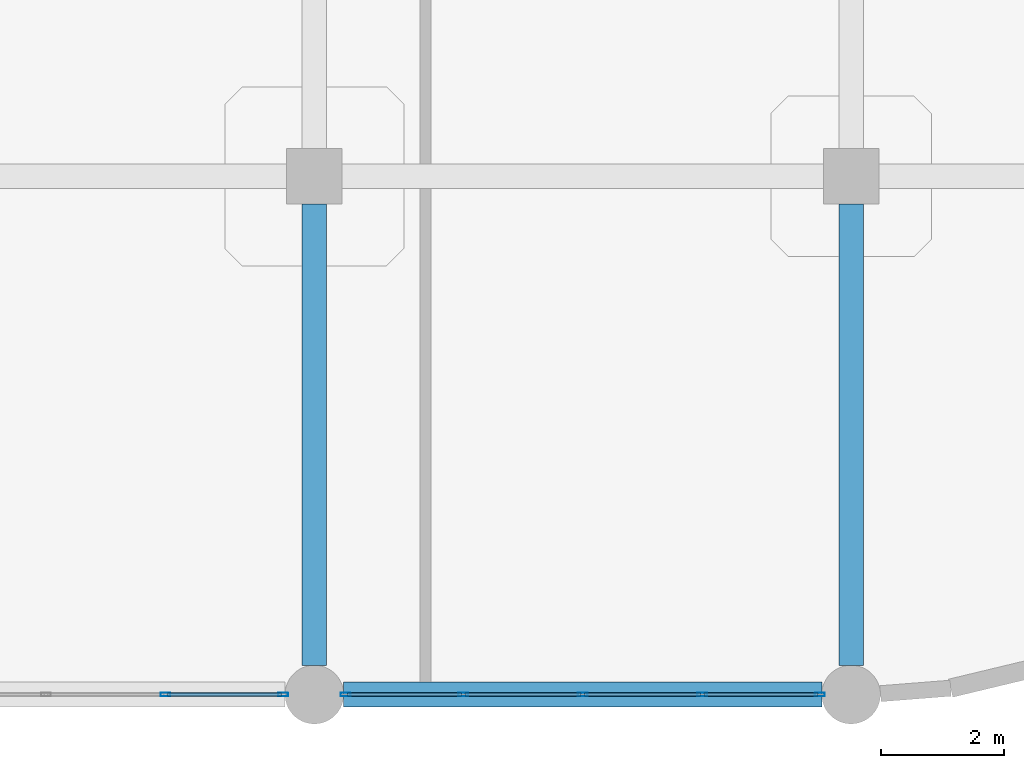
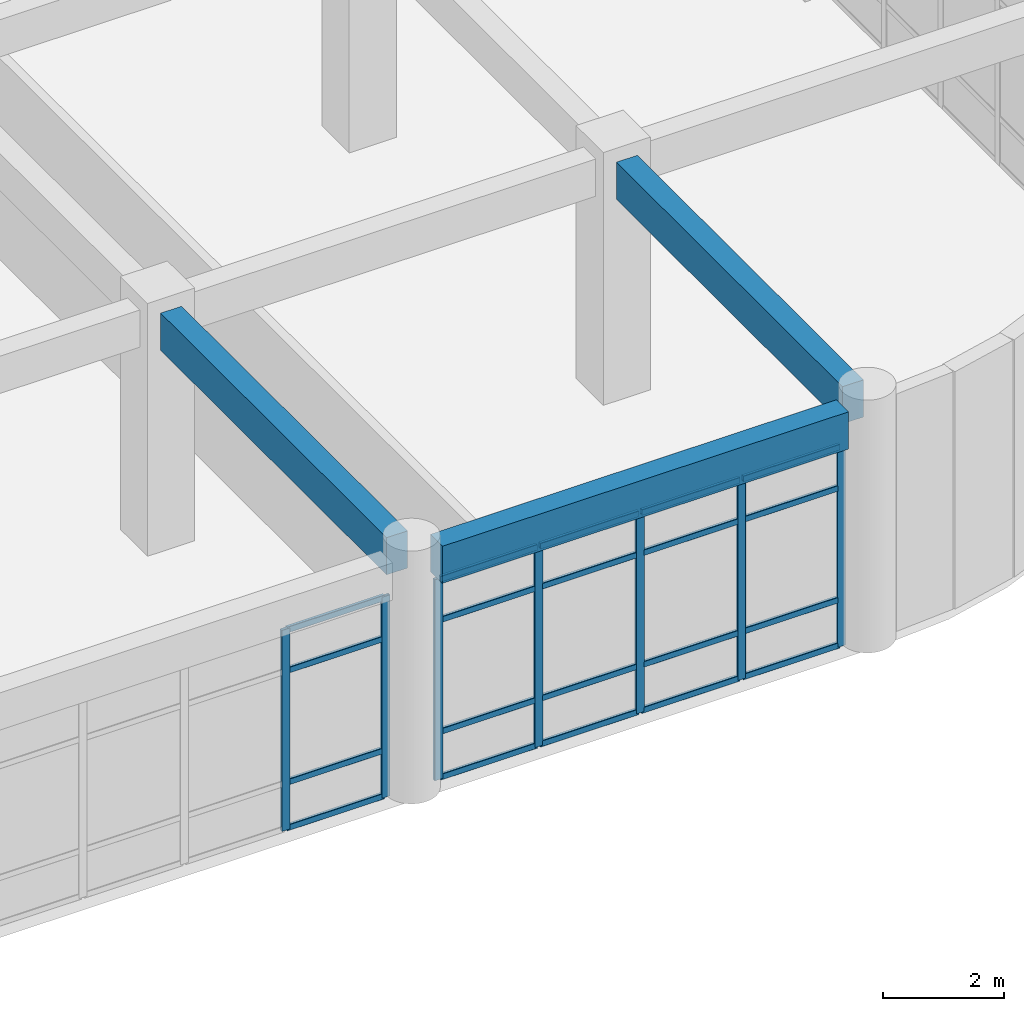
# One storey, part 15 of 120: 27 members, 3 beams, 2 elements without a shape of their own.
"""IFC4 building model written with IfcOpenShell, lengths in metres."""

from ifc_helpers import new_model, si_unit, derived_unit, direction, frame, origin, origin_2d, place, context, subcontext, project, spatial, rectangle, hollow_rectangle, extrude, material, layer, layer_set, material_profile, profile_set, type_object, element, aggregate, save


model = new_model("IFC4")

# Units and contexts
model_context = context("Model", 3, precision=1e-05, world=origin(), true_north=direction((0.0, 1.0)))
body_context = subcontext(model_context, "Body", "Model", "MODEL_VIEW")
ifc_project = project(units=[si_unit("LENGTHUNIT", "METRE"), si_unit("AREAUNIT", "SQUARE_METRE"), si_unit("VOLUMEUNIT", "CUBIC_METRE"), si_unit("PLANEANGLEUNIT", "RADIAN"), si_unit("MASSUNIT", "GRAM", prefix="KILO"), derived_unit("THERMALTRANSMITTANCEUNIT", [(si_unit("MASSUNIT", "GRAM", prefix="KILO"), 1), (si_unit("TIMEUNIT", "SECOND"), -3), (si_unit("THERMODYNAMICTEMPERATUREUNIT", "KELVIN"), -1)])], contexts=[model_context])

# Site, building, storey
site_placement = place(None, origin())
site = spatial("IfcSite", under=ifc_project, at=site_placement, CompositionType="ELEMENT")
building_placement = place(site_placement, origin())
building = spatial("IfcBuilding", under=site, at=building_placement, Name="Qinzheling Arcade Emporium", CompositionType="ELEMENT")
storey_placement = place(building_placement, frame((0.0, 0.0, 11.39990234375)))
storey = spatial("IfcBuildingStorey", under=building, at=storey_placement, Name="L03", CompositionType="ELEMENT", Elevation=11.39990234375)

# Curtain wall, members
ifc_material_1 = material(Name="Anodised aluminium and solar-control double glazing", Category="aluminium")
ifc_layer = layer(ifc_material_1, 0.159912109375, Name="Anodised aluminium and solar-control double glazing", Category="aluminium")
ifc_layer_set = layer_set([ifc_layer], Name="Anodised aluminium and solar-control double glazing")
curtain_wall_type = type_object("IfcCurtainWallType", Name="Arcade Portal Glazed Curtain Wall", PredefinedType="NOTDEFINED", material=ifc_layer_set)
curtain_wall_1_placement = place(storey_placement, origin())
curtain_wall_1 = element("IfcCurtainWall", 1, at=curtain_wall_1_placement, inside=storey, type_object=curtain_wall_type, Name="Curtain Wall CW-L03-149", PredefinedType="NOTDEFINED")
ifc_material_2 = material(Name="Anodised aluminium 6063-T6", Category="aluminium")
ifc_material_profile_1 = material_profile(ifc_material_2, hollow_rectangle(XDim=0.06005859375, YDim=0.159912109375, WallThickness=0.00390625, InnerFilletRadius=0.00390625, OuterFilletRadius=0.008056640625, at=origin_2d()), Name="RHS 160x60x4", Category="aluminium")
ifc_profile_set_1 = profile_set([ifc_material_profile_1], Name="Anodised aluminium 6063-T6")
member_type_1 = type_object("IfcMemberType", Name="Curtain Wall Mullion RHS160x60", PredefinedType="MULLION", material=ifc_profile_set_1)
member_1_placement = place(storey_placement, frame((60.39306640625, 0.0, 0.0), z_axis=(0.0, 0.0, 1.0), x_axis=(0.0, -1.0, 0.0)))
member_1 = element("IfcMember", 2, at=member_1_placement, type_object=member_type_1, Name="CW05 mullion 1", PredefinedType="MULLION", context=body_context, shape_type="SweptSolid", body=[
    extrude(hollow_rectangle(XDim=0.06005859375, YDim=0.159912109375, WallThickness=0.00390625, InnerFilletRadius=0.00390625, OuterFilletRadius=0.008056640625, at=origin_2d()), origin(), (0.0, 0.0, 1.0), 4.05517578125),
])
member_2_placement = place(storey_placement, frame((58.486572265625, 0.0, 0.0), z_axis=(0.0, 0.0, 1.0), x_axis=(0.0, -1.0, 0.0)))
member_2 = element("IfcMember", 3, at=member_2_placement, type_object=member_type_1, Name="CW05 mullion 2", PredefinedType="MULLION", context=body_context, shape_type="SweptSolid", body=[
    extrude(hollow_rectangle(XDim=0.06005859375, YDim=0.159912109375, WallThickness=0.00390625, InnerFilletRadius=0.00390625, OuterFilletRadius=0.008056640625, at=origin_2d()), origin(), (0.0, 0.0, 1.0), 4.05517578125),
])
member_3_placement = place(storey_placement, frame((56.550048828125, 0.0, 0.0), z_axis=(0.0, 0.0, 1.0), x_axis=(0.0, -1.0, 0.0)))
member_3 = element("IfcMember", 4, at=member_3_placement, type_object=member_type_1, Name="CW05 mullion 3", PredefinedType="MULLION", context=body_context, shape_type="SweptSolid", body=[
    extrude(hollow_rectangle(XDim=0.06005859375, YDim=0.159912109375, WallThickness=0.00390625, InnerFilletRadius=0.00390625, OuterFilletRadius=0.008056640625, at=origin_2d()), origin(), (0.0, 0.0, 1.0), 4.05517578125),
])
member_4_placement = place(storey_placement, frame((54.613525390625, 0.0, 0.0), z_axis=(0.0, 0.0, 1.0), x_axis=(0.0, -1.0, 0.0)))
member_4 = element("IfcMember", 5, at=member_4_placement, type_object=member_type_1, Name="CW05 mullion 4", PredefinedType="MULLION", context=body_context, shape_type="SweptSolid", body=[
    extrude(hollow_rectangle(XDim=0.06005859375, YDim=0.159912109375, WallThickness=0.00390625, InnerFilletRadius=0.00390625, OuterFilletRadius=0.008056640625, at=origin_2d()), origin(), (0.0, 0.0, 1.0), 4.05517578125),
])
member_5_placement = place(storey_placement, frame((52.70703125, 0.0, 0.0), z_axis=(0.0, 0.0, 1.0), x_axis=(0.0, -1.0, 0.0)))
member_5 = element("IfcMember", 6, at=member_5_placement, type_object=member_type_1, Name="CW05 mullion 5", PredefinedType="MULLION", context=body_context, shape_type="SweptSolid", body=[
    extrude(hollow_rectangle(XDim=0.06005859375, YDim=0.159912109375, WallThickness=0.00390625, InnerFilletRadius=0.00390625, OuterFilletRadius=0.008056640625, at=origin_2d()), origin(), (0.0, 0.0, 1.0), 4.05517578125),
])

curtain_wall_2_placement = place(storey_placement, origin())
curtain_wall_2 = element("IfcCurtainWall", 7, at=curtain_wall_2_placement, inside=storey, type_object=curtain_wall_type, Name="Curtain Wall CW-L03-150", PredefinedType="NOTDEFINED")
member_6_placement = place(storey_placement, frame((51.693115234375, 0.0, 0.0), z_axis=(0.0, 0.0, 1.0), x_axis=(0.0, -1.0, 0.0)))
member_6 = element("IfcMember", 8, at=member_6_placement, type_object=member_type_1, Name="CW05 mullion 1", PredefinedType="MULLION", context=body_context, shape_type="SweptSolid", body=[
    extrude(hollow_rectangle(XDim=0.06005859375, YDim=0.159912109375, WallThickness=0.00390625, InnerFilletRadius=0.00390625, OuterFilletRadius=0.008056640625, at=origin_2d()), origin(), (0.0, 0.0, 1.0), 4.05517578125),
])
member_7_placement = place(storey_placement, frame((49.78662109375, 0.0, 0.0), z_axis=(0.0, 0.0, 1.0), x_axis=(0.0, -1.0, 0.0)))
member_7 = element("IfcMember", 9, at=member_7_placement, type_object=member_type_1, Name="CW05 mullion 2", PredefinedType="MULLION", context=body_context, shape_type="SweptSolid", body=[
    extrude(hollow_rectangle(XDim=0.06005859375, YDim=0.159912109375, WallThickness=0.00390625, InnerFilletRadius=0.00390625, OuterFilletRadius=0.008056640625, at=origin_2d()), origin(), (0.0, 0.0, 1.0), 4.05517578125),
])

# Member
ifc_material_profile_2 = material_profile(ifc_material_2, hollow_rectangle(XDim=0.06005859375, YDim=0.1201171875, WallThickness=0.00390625, InnerFilletRadius=0.00390625, OuterFilletRadius=0.008056640625, at=origin_2d()), Name="RHS 120x60x4", Category="aluminium")
ifc_profile_set_2 = profile_set([ifc_material_profile_2], Name="Anodised aluminium 6063-T6")
member_type_2 = type_object("IfcMemberType", Name="Curtain Wall Transom RHS120x60", PredefinedType="USERDEFINED", material=ifc_profile_set_2)
member_8_placement = place(storey_placement, frame((60.363037109375, 0.0, 0.030029296875), z_axis=(-1.0, 0.0, 0.0), x_axis=(0.0, -1.0, 0.0)))
member_8 = element("IfcMember", 10, at=member_8_placement, type_object=member_type_2, Name="CW05 transom 1.1", ObjectType="TRANSOM", PredefinedType="USERDEFINED", context=body_context, shape_type="SweptSolid", body=[
    extrude(hollow_rectangle(XDim=0.06005859375, YDim=0.1201171875, WallThickness=0.00390625, InnerFilletRadius=0.00390625, OuterFilletRadius=0.008056640625, at=origin_2d()), origin(), (0.0, 0.0, 1.0), 1.846435546875),
])

member_9_placement = place(storey_placement, frame((60.363037109375, 0.0, 0.9501953125), z_axis=(-1.0, 0.0, 0.0), x_axis=(0.0, -1.0, 0.0)))
member_9 = element("IfcMember", 11, at=member_9_placement, type_object=member_type_2, Name="CW05 transom 1.2", ObjectType="TRANSOM", PredefinedType="USERDEFINED", context=body_context, shape_type="SweptSolid", body=[
    extrude(hollow_rectangle(XDim=0.06005859375, YDim=0.1201171875, WallThickness=0.00390625, InnerFilletRadius=0.00390625, OuterFilletRadius=0.008056640625, at=origin_2d()), origin(), (0.0, 0.0, 1.0), 1.846435546875),
])

member_10_placement = place(storey_placement, frame((60.363037109375, 0.0, 3.205078125), z_axis=(-1.0, 0.0, 0.0), x_axis=(0.0, -1.0, 0.0)))
member_10 = element("IfcMember", 12, at=member_10_placement, type_object=member_type_2, Name="CW05 transom 1.3", ObjectType="TRANSOM", PredefinedType="USERDEFINED", context=body_context, shape_type="SweptSolid", body=[
    extrude(hollow_rectangle(XDim=0.06005859375, YDim=0.1201171875, WallThickness=0.00390625, InnerFilletRadius=0.00390625, OuterFilletRadius=0.008056640625, at=origin_2d()), origin(), (0.0, 0.0, 1.0), 1.846435546875),
])

member_11_placement = place(storey_placement, frame((60.363037109375, 0.0, 4.025146484375), z_axis=(-1.0, 0.0, 0.0), x_axis=(0.0, -1.0, 0.0)))
member_11 = element("IfcMember", 13, at=member_11_placement, type_object=member_type_2, Name="CW05 transom 1.4", ObjectType="TRANSOM", PredefinedType="USERDEFINED", context=body_context, shape_type="SweptSolid", body=[
    extrude(hollow_rectangle(XDim=0.06005859375, YDim=0.1201171875, WallThickness=0.00390625, InnerFilletRadius=0.00390625, OuterFilletRadius=0.008056640625, at=origin_2d()), origin(), (0.0, 0.0, 1.0), 1.846435546875),
])

member_12_placement = place(storey_placement, frame((58.45654296875, 0.0, 0.030029296875), z_axis=(-1.0, 0.0, 0.0), x_axis=(0.0, -1.0, 0.0)))
member_12 = element("IfcMember", 14, at=member_12_placement, type_object=member_type_2, Name="CW05 transom 2.1", ObjectType="TRANSOM", PredefinedType="USERDEFINED", context=body_context, shape_type="SweptSolid", body=[
    extrude(hollow_rectangle(XDim=0.06005859375, YDim=0.1201171875, WallThickness=0.00390625, InnerFilletRadius=0.00390625, OuterFilletRadius=0.008056640625, at=origin_2d()), origin(), (0.0, 0.0, 1.0), 1.87646484375),
])

member_13_placement = place(storey_placement, frame((58.45654296875, 0.0, 0.9501953125), z_axis=(-1.0, 0.0, 0.0), x_axis=(0.0, -1.0, 0.0)))
member_13 = element("IfcMember", 15, at=member_13_placement, type_object=member_type_2, Name="CW05 transom 2.2", ObjectType="TRANSOM", PredefinedType="USERDEFINED", context=body_context, shape_type="SweptSolid", body=[
    extrude(hollow_rectangle(XDim=0.06005859375, YDim=0.1201171875, WallThickness=0.00390625, InnerFilletRadius=0.00390625, OuterFilletRadius=0.008056640625, at=origin_2d()), origin(), (0.0, 0.0, 1.0), 1.87646484375),
])

member_14_placement = place(storey_placement, frame((58.45654296875, 0.0, 3.205078125), z_axis=(-1.0, 0.0, 0.0), x_axis=(0.0, -1.0, 0.0)))
member_14 = element("IfcMember", 16, at=member_14_placement, type_object=member_type_2, Name="CW05 transom 2.3", ObjectType="TRANSOM", PredefinedType="USERDEFINED", context=body_context, shape_type="SweptSolid", body=[
    extrude(hollow_rectangle(XDim=0.06005859375, YDim=0.1201171875, WallThickness=0.00390625, InnerFilletRadius=0.00390625, OuterFilletRadius=0.008056640625, at=origin_2d()), origin(), (0.0, 0.0, 1.0), 1.87646484375),
])

member_15_placement = place(storey_placement, frame((58.45654296875, 0.0, 4.025146484375), z_axis=(-1.0, 0.0, 0.0), x_axis=(0.0, -1.0, 0.0)))
member_15 = element("IfcMember", 17, at=member_15_placement, type_object=member_type_2, Name="CW05 transom 2.4", ObjectType="TRANSOM", PredefinedType="USERDEFINED", context=body_context, shape_type="SweptSolid", body=[
    extrude(hollow_rectangle(XDim=0.06005859375, YDim=0.1201171875, WallThickness=0.00390625, InnerFilletRadius=0.00390625, OuterFilletRadius=0.008056640625, at=origin_2d()), origin(), (0.0, 0.0, 1.0), 1.87646484375),
])

member_16_placement = place(storey_placement, frame((56.52001953125, 0.0, 0.030029296875), z_axis=(-1.0, 0.0, 0.0), x_axis=(0.0, -1.0, 0.0)))
member_16 = element("IfcMember", 18, at=member_16_placement, type_object=member_type_2, Name="CW05 transom 3.1", ObjectType="TRANSOM", PredefinedType="USERDEFINED", context=body_context, shape_type="SweptSolid", body=[
    extrude(hollow_rectangle(XDim=0.06005859375, YDim=0.1201171875, WallThickness=0.00390625, InnerFilletRadius=0.00390625, OuterFilletRadius=0.008056640625, at=origin_2d()), origin(), (0.0, 0.0, 1.0), 1.87646484375),
])

member_17_placement = place(storey_placement, frame((56.52001953125, 0.0, 0.9501953125), z_axis=(-1.0, 0.0, 0.0), x_axis=(0.0, -1.0, 0.0)))
member_17 = element("IfcMember", 19, at=member_17_placement, type_object=member_type_2, Name="CW05 transom 3.2", ObjectType="TRANSOM", PredefinedType="USERDEFINED", context=body_context, shape_type="SweptSolid", body=[
    extrude(hollow_rectangle(XDim=0.06005859375, YDim=0.1201171875, WallThickness=0.00390625, InnerFilletRadius=0.00390625, OuterFilletRadius=0.008056640625, at=origin_2d()), origin(), (0.0, 0.0, 1.0), 1.87646484375),
])

member_18_placement = place(storey_placement, frame((56.52001953125, 0.0, 3.205078125), z_axis=(-1.0, 0.0, 0.0), x_axis=(0.0, -1.0, 0.0)))
member_18 = element("IfcMember", 20, at=member_18_placement, type_object=member_type_2, Name="CW05 transom 3.3", ObjectType="TRANSOM", PredefinedType="USERDEFINED", context=body_context, shape_type="SweptSolid", body=[
    extrude(hollow_rectangle(XDim=0.06005859375, YDim=0.1201171875, WallThickness=0.00390625, InnerFilletRadius=0.00390625, OuterFilletRadius=0.008056640625, at=origin_2d()), origin(), (0.0, 0.0, 1.0), 1.87646484375),
])

member_19_placement = place(storey_placement, frame((56.52001953125, 0.0, 4.025146484375), z_axis=(-1.0, 0.0, 0.0), x_axis=(0.0, -1.0, 0.0)))
member_19 = element("IfcMember", 21, at=member_19_placement, type_object=member_type_2, Name="CW05 transom 3.4", ObjectType="TRANSOM", PredefinedType="USERDEFINED", context=body_context, shape_type="SweptSolid", body=[
    extrude(hollow_rectangle(XDim=0.06005859375, YDim=0.1201171875, WallThickness=0.00390625, InnerFilletRadius=0.00390625, OuterFilletRadius=0.008056640625, at=origin_2d()), origin(), (0.0, 0.0, 1.0), 1.87646484375),
])

member_20_placement = place(storey_placement, frame((54.58349609375, 0.0, 0.030029296875), z_axis=(-1.0, 0.0, 0.0), x_axis=(0.0, -1.0, 0.0)))
member_20 = element("IfcMember", 22, at=member_20_placement, type_object=member_type_2, Name="CW05 transom 4.1", ObjectType="TRANSOM", PredefinedType="USERDEFINED", context=body_context, shape_type="SweptSolid", body=[
    extrude(hollow_rectangle(XDim=0.06005859375, YDim=0.1201171875, WallThickness=0.00390625, InnerFilletRadius=0.00390625, OuterFilletRadius=0.008056640625, at=origin_2d()), origin(), (0.0, 0.0, 1.0), 1.846435546875),
])

member_21_placement = place(storey_placement, frame((54.58349609375, 0.0, 0.9501953125), z_axis=(-1.0, 0.0, 0.0), x_axis=(0.0, -1.0, 0.0)))
member_21 = element("IfcMember", 23, at=member_21_placement, type_object=member_type_2, Name="CW05 transom 4.2", ObjectType="TRANSOM", PredefinedType="USERDEFINED", context=body_context, shape_type="SweptSolid", body=[
    extrude(hollow_rectangle(XDim=0.06005859375, YDim=0.1201171875, WallThickness=0.00390625, InnerFilletRadius=0.00390625, OuterFilletRadius=0.008056640625, at=origin_2d()), origin(), (0.0, 0.0, 1.0), 1.846435546875),
])

member_22_placement = place(storey_placement, frame((54.58349609375, 0.0, 3.205078125), z_axis=(-1.0, 0.0, 0.0), x_axis=(0.0, -1.0, 0.0)))
member_22 = element("IfcMember", 24, at=member_22_placement, type_object=member_type_2, Name="CW05 transom 4.3", ObjectType="TRANSOM", PredefinedType="USERDEFINED", context=body_context, shape_type="SweptSolid", body=[
    extrude(hollow_rectangle(XDim=0.06005859375, YDim=0.1201171875, WallThickness=0.00390625, InnerFilletRadius=0.00390625, OuterFilletRadius=0.008056640625, at=origin_2d()), origin(), (0.0, 0.0, 1.0), 1.846435546875),
])

member_23_placement = place(storey_placement, frame((54.58349609375, 0.0, 4.025146484375), z_axis=(-1.0, 0.0, 0.0), x_axis=(0.0, -1.0, 0.0)))
member_23 = element("IfcMember", 25, at=member_23_placement, type_object=member_type_2, Name="CW05 transom 4.4", ObjectType="TRANSOM", PredefinedType="USERDEFINED", context=body_context, shape_type="SweptSolid", body=[
    extrude(hollow_rectangle(XDim=0.06005859375, YDim=0.1201171875, WallThickness=0.00390625, InnerFilletRadius=0.00390625, OuterFilletRadius=0.008056640625, at=origin_2d()), origin(), (0.0, 0.0, 1.0), 1.846435546875),
])

aggregate(curtain_wall_1, [member_1, member_2, member_3, member_4, member_5, member_8, member_9, member_10, member_11, member_12, member_13, member_14, member_15, member_16, member_17, member_18, member_19, member_20, member_21, member_22, member_23])

member_24_placement = place(storey_placement, frame((51.6630859375, 0.0, 0.030029296875), z_axis=(-1.0, 0.0, 0.0), x_axis=(0.0, -1.0, 0.0)))
member_24 = element("IfcMember", 26, at=member_24_placement, type_object=member_type_2, Name="CW05 transom 1.1", ObjectType="TRANSOM", PredefinedType="USERDEFINED", context=body_context, shape_type="SweptSolid", body=[
    extrude(hollow_rectangle(XDim=0.06005859375, YDim=0.1201171875, WallThickness=0.00390625, InnerFilletRadius=0.00390625, OuterFilletRadius=0.008056640625, at=origin_2d()), origin(), (0.0, 0.0, 1.0), 1.8466796875),
])

member_25_placement = place(storey_placement, frame((51.6630859375, 0.0, 0.9501953125), z_axis=(-1.0, 0.0, 0.0), x_axis=(0.0, -1.0, 0.0)))
member_25 = element("IfcMember", 27, at=member_25_placement, type_object=member_type_2, Name="CW05 transom 1.2", ObjectType="TRANSOM", PredefinedType="USERDEFINED", context=body_context, shape_type="SweptSolid", body=[
    extrude(hollow_rectangle(XDim=0.06005859375, YDim=0.1201171875, WallThickness=0.00390625, InnerFilletRadius=0.00390625, OuterFilletRadius=0.008056640625, at=origin_2d()), origin(), (0.0, 0.0, 1.0), 1.8466796875),
])

member_26_placement = place(storey_placement, frame((51.6630859375, 0.0, 3.205078125), z_axis=(-1.0, 0.0, 0.0), x_axis=(0.0, -1.0, 0.0)))
member_26 = element("IfcMember", 28, at=member_26_placement, type_object=member_type_2, Name="CW05 transom 1.3", ObjectType="TRANSOM", PredefinedType="USERDEFINED", context=body_context, shape_type="SweptSolid", body=[
    extrude(hollow_rectangle(XDim=0.06005859375, YDim=0.1201171875, WallThickness=0.00390625, InnerFilletRadius=0.00390625, OuterFilletRadius=0.008056640625, at=origin_2d()), origin(), (0.0, 0.0, 1.0), 1.8466796875),
])

member_27_placement = place(storey_placement, frame((51.6630859375, 0.0, 4.025146484375), z_axis=(-1.0, 0.0, 0.0), x_axis=(0.0, -1.0, 0.0)))
member_27 = element("IfcMember", 29, at=member_27_placement, type_object=member_type_2, Name="CW05 transom 1.4", ObjectType="TRANSOM", PredefinedType="USERDEFINED", context=body_context, shape_type="SweptSolid", body=[
    extrude(hollow_rectangle(XDim=0.06005859375, YDim=0.1201171875, WallThickness=0.00390625, InnerFilletRadius=0.00390625, OuterFilletRadius=0.008056640625, at=origin_2d()), origin(), (0.0, 0.0, 1.0), 1.8466796875),
])

aggregate(curtain_wall_2, [member_6, member_7, member_24, member_25, member_26, member_27])

# Beams
ifc_material_3 = material(Name="Concrete C40", Category="concrete")
ifc_material_profile_3 = material_profile(ifc_material_3, rectangle(XDim=0.39990234375, YDim=0.75, at=origin_2d()), Name="RC 400x750", Category="concrete")
ifc_profile_set_3 = profile_set([ifc_material_profile_3], Name="Concrete C40")
beam_type = type_object("IfcBeamType", Name="RC Interior Tie Beam 400x750 C40", PredefinedType="BEAM", material=ifc_profile_set_3)
beam_placement = place(storey_placement, frame((52.675048828125, 0.0, 4.445068359375), z_axis=(1.0, 0.0, 0.0), x_axis=(0.0, 1.0, 0.0)))
element("IfcBeam", 30, at=beam_placement, inside=storey, type_object=beam_type, Name="Beam BM-L03-X-A-7", PredefinedType="BEAM", context=body_context, shape_type="SweptSolid", body=[
    extrude(rectangle(XDim=0.39990234375, YDim=0.75, at=origin_2d()), origin(), (0.0, 0.0, 1.0), 7.75),
])
for number, where, z_axis, x_axis, name in (
    (31, (52.199951171875, 0.47509765625, 4.445068359375), (0.0, 1.0, 0.0), (-1.0, 0.0, 0.0), "Beam BM-L03-Y-7-A"),
    (32, (60.89990234375, 0.47509765625, 4.445068359375), (0.0, 1.0, 0.0), (-1.0, 0.0, 0.0), "Beam BM-L03-Y-8-A"),
):
    element("IfcBeam", number, at=place(storey_placement, frame(where, z_axis=z_axis, x_axis=x_axis)), inside=storey, type_object=beam_type, Name=name, PredefinedType="BEAM", context=body_context, shape_type="SweptSolid", body=[
        extrude(rectangle(XDim=0.39990234375, YDim=0.75, at=origin_2d()), origin(), (0.0, 0.0, 1.0), 7.474853515625),
    ])

save(model, "model.ifc")
